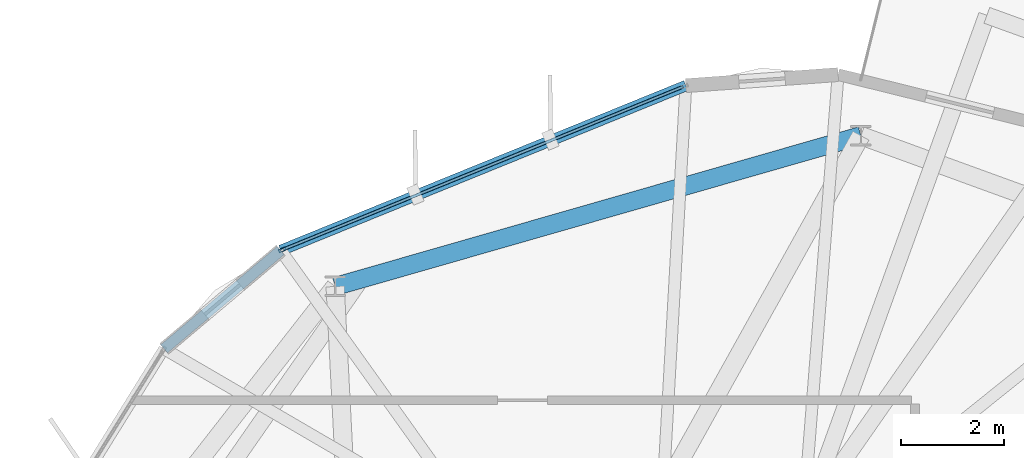
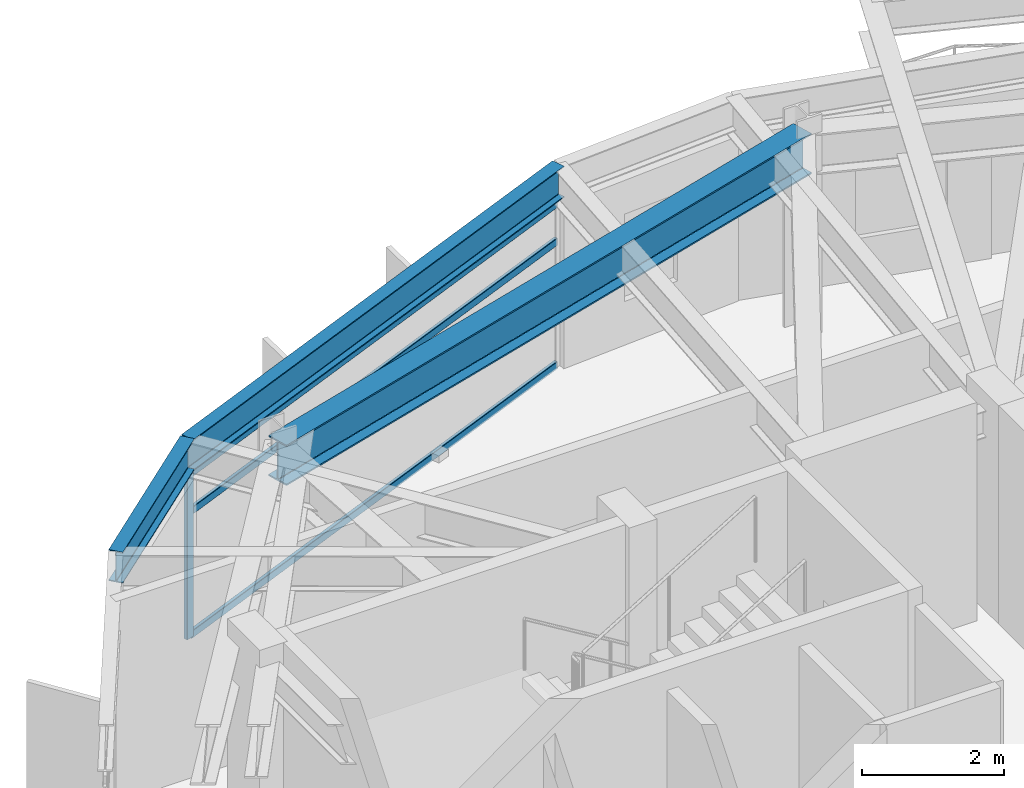
# One storey, part 17 of 26: 4 members, 3 beams, 1 element without a shape of its own.
"""IFC4 building model written with IfcOpenShell, lengths in metres."""

from ifc_helpers import new_model, si_unit, direction, frame, origin, origin_2d, place, context, subcontext, project, spatial, hollow_rectangle, i_section, extrude, material, layer, layer_set, material_profile, profile_set, type_object, element, aggregate, save


model = new_model("IFC4")

# Units and contexts
model_context = context("Model", 3, precision=1e-05, world=origin(), true_north=direction((0.0, 1.0)))
body_context = subcontext(model_context, "Body", "Model", "MODEL_VIEW")
ifc_project = project(units=[si_unit("LENGTHUNIT", "METRE"), si_unit("AREAUNIT", "SQUARE_METRE"), si_unit("VOLUMEUNIT", "CUBIC_METRE"), si_unit("PLANEANGLEUNIT", "RADIAN"), si_unit("MASSUNIT", "GRAM", prefix="KILO")], contexts=[model_context])

# Site, building, storey
site_placement = place(None, origin())
site = spatial("IfcSite", under=ifc_project, at=site_placement, CompositionType="ELEMENT")
building_placement = place(site_placement, origin())
building = spatial("IfcBuilding", under=site, at=building_placement, Name="Soratama Intermodal Tower", CompositionType="ELEMENT")
storey_placement = place(building_placement, frame((0.0, 0.0, 246.25)))
storey = spatial("IfcBuildingStorey", under=building, at=storey_placement, Name="L62", CompositionType="ELEMENT", Elevation=246.25)

# Beams
ifc_material_1 = material(Name="Structural steel ASTM A992 Grade 50", Category="steel")
ifc_material_profile_1 = material_profile(ifc_material_1, i_section(OverallWidth=0.35498046875, OverallDepth=0.695068359375, WebThickness=0.015380859375, FlangeThickness=0.02490234375, FilletRadius=0.01611328125, at=origin_2d()), Name="W27X146")
ifc_profile_set_1 = profile_set([ifc_material_profile_1], Name="Structural steel ASTM A992 Grade 50")
beam_type_1 = type_object("IfcBeamType", Name="BM-RING-W27X146", PredefinedType="BEAM", material=ifc_profile_set_1)
beam_1_placement = place(storey_placement, frame((45.60009765625, 42.18994140625, 3.1025390625), z_axis=(-0.961238292127, -0.275718961532, 0.0), x_axis=(0.275718961532, -0.961238292127, 0.0)))
element("IfcBeam", 1, at=beam_1_placement, inside=storey, type_object=beam_type_1, Name="BM-L62-RING-03", PredefinedType="BEAM", context=body_context, shape_type="SweptSolid", body=[
    extrude(i_section(OverallWidth=0.35498046875, OverallDepth=0.695068359375, WebThickness=0.015380859375, FlangeThickness=0.02490234375, FilletRadius=0.01611328125, at=origin_2d()), origin(), (0.0, 0.0, 1.0), 10.630126953125),
])
ifc_material_2 = material(Name="Structural steel ASTM A992 Grade 50", Category="steel")
ifc_material_profile_2 = material_profile(ifc_material_2, i_section(OverallWidth=0.2099609375, OverallDepth=0.537109375, WebThickness=0.010986328125, FlangeThickness=0.017333984375, FilletRadius=0.012939453125, at=origin_2d()), Name="W21X68")
ifc_profile_set_2 = profile_set([ifc_material_profile_2], Name="Structural steel ASTM A992 Grade 50")
beam_type_2 = type_object("IfcBeamType", Name="BM-SPN-W21X68", PredefinedType="SPANDREL", material=ifc_profile_set_2)
beam_2_placement = place(storey_placement, frame((42.197998046875, 43.1630859375, 3.181396484375), z_axis=(-0.926273649739, -0.37685159652, 0.0), x_axis=(0.37685159652, -0.926273649739, 0.0)))
element("IfcBeam", 2, at=beam_2_placement, inside=storey, type_object=beam_type_2, Name="BS-L62-F02", PredefinedType="SPANDREL", context=body_context, shape_type="SweptSolid", body=[
    extrude(i_section(OverallWidth=0.2099609375, OverallDepth=0.537109375, WebThickness=0.010986328125, FlangeThickness=0.017333984375, FilletRadius=0.012939453125, at=origin_2d()), origin(), (0.0, 0.0, 1.0), 8.499755859375),
])
beam_3_placement = place(storey_placement, frame((34.324951171875, 39.9599609375, 3.181396484375), z_axis=(-0.764430876647, -0.64470569629, 0.0), x_axis=(0.64470569629, -0.764430876647, 0.0)))
element("IfcBeam", 3, at=beam_3_placement, inside=storey, type_object=beam_type_2, Name="BS-L62-CRN02", PredefinedType="SPANDREL", context=body_context, shape_type="SweptSolid", body=[
    extrude(i_section(OverallWidth=0.2099609375, OverallDepth=0.537109375, WebThickness=0.010986328125, FlangeThickness=0.017333984375, FilletRadius=0.012939453125, at=origin_2d()), origin(), (0.0, 0.0, 1.0), 2.967041015625),
])

# Curtain wall, members
ifc_material_3 = material(Name="Double-glazed aluminium curtain wall", Category="aluminium")
ifc_layer = layer(ifc_material_3, 0.159912109375)
ifc_layer_set = layer_set([ifc_layer], Name="Double-glazed aluminium curtain wall")
curtain_wall_type = type_object("IfcCurtainWallType", Name="CW-SYS-5", PredefinedType="NOTDEFINED", material=ifc_layer_set)
curtain_wall_placement = place(storey_placement, origin())
curtain_wall = element("IfcCurtainWall", 4, at=curtain_wall_placement, inside=storey, type_object=curtain_wall_type, Name="L62 Faceted Curtain Wall F02", PredefinedType="NOTDEFINED")
ifc_material_4 = material(Name="Anodised aluminium AA 6063-T6", Category="aluminium")
ifc_material_profile_3 = material_profile(ifc_material_4, hollow_rectangle(XDim=0.06494140625, YDim=0.139892578125, WallThickness=0.0048828125, InnerFilletRadius=0.0048828125, OuterFilletRadius=0.010009765625, at=origin_2d()), Name="CWM140X65X5")
ifc_profile_set_3 = profile_set([ifc_material_profile_3], Name="Anodised aluminium AA 6063-T6")
member_type_1 = type_object("IfcMemberType", Name="MT-CWM-5", PredefinedType="MULLION", material=ifc_profile_set_3)
member_1_placement = place(storey_placement, frame((34.352783203125, 39.97119140625, 0.0), z_axis=(0.0, 0.0, 1.0), x_axis=(0.376881280442, -0.926261572372, 0.0)))
member_1 = element("IfcMember", 5, at=member_1_placement, type_object=member_type_1, Name="CW-5 mullion 2", PredefinedType="MULLION", context=body_context, shape_type="SweptSolid", body=[
    extrude(hollow_rectangle(XDim=0.06494140625, YDim=0.139892578125, WallThickness=0.0048828125, InnerFilletRadius=0.0048828125, OuterFilletRadius=0.010009765625, at=origin_2d()), origin(), (0.0, 0.0, 1.0), 2.8291015625),
])
ifc_material_5 = material(Name="Anodised aluminium AA 6063-T6", Category="aluminium")
ifc_material_profile_4 = material_profile(ifc_material_5, hollow_rectangle(XDim=0.06005859375, YDim=0.1298828125, WallThickness=0.0048828125, InnerFilletRadius=0.0048828125, OuterFilletRadius=0.010009765625, at=origin_2d()), Name="CWT130X60X5")
ifc_profile_set_4 = profile_set([ifc_material_profile_4], Name="Anodised aluminium AA 6063-T6")
member_type_2 = type_object("IfcMemberType", Name="TT-CWT-2", PredefinedType="USERDEFINED", material=ifc_profile_set_4)
member_2_placement = place(storey_placement, frame((42.142578125, 43.140625, 0.030029296875), z_axis=(-0.926262306379, -0.376879476467, 0.0), x_axis=(0.376879476467, -0.926262306379, 0.0)))
member_2 = element("IfcMember", 6, at=member_2_placement, type_object=member_type_2, Name="CW-5 transom 1.1", ObjectType="TRANSOM", PredefinedType="USERDEFINED", context=body_context, shape_type="SweptSolid", body=[
    extrude(hollow_rectangle(XDim=0.06005859375, YDim=0.1298828125, WallThickness=0.0048828125, InnerFilletRadius=0.0048828125, OuterFilletRadius=0.010009765625, at=origin_2d()), origin(), (0.0, 0.0, 1.0), 8.3798828125),
])
member_3_placement = place(storey_placement, frame((42.142578125, 43.140625, 2.14990234375), z_axis=(-0.926262306379, -0.376879476467, 0.0), x_axis=(0.376879476467, -0.926262306379, 0.0)))
member_3 = element("IfcMember", 7, at=member_3_placement, type_object=member_type_2, Name="CW-5 transom 1.2", ObjectType="TRANSOM", PredefinedType="USERDEFINED", context=body_context, shape_type="SweptSolid", body=[
    extrude(hollow_rectangle(XDim=0.06005859375, YDim=0.1298828125, WallThickness=0.0048828125, InnerFilletRadius=0.0048828125, OuterFilletRadius=0.010009765625, at=origin_2d()), origin(), (0.0, 0.0, 1.0), 8.3798828125),
])
member_4_placement = place(storey_placement, frame((42.142578125, 43.140625, 2.799072265625), z_axis=(-0.926262306379, -0.376879476467, 0.0), x_axis=(0.376879476467, -0.926262306379, 0.0)))
member_4 = element("IfcMember", 8, at=member_4_placement, type_object=member_type_2, Name="CW-5 transom 1.3", ObjectType="TRANSOM", PredefinedType="USERDEFINED", context=body_context, shape_type="SweptSolid", body=[
    extrude(hollow_rectangle(XDim=0.06005859375, YDim=0.1298828125, WallThickness=0.0048828125, InnerFilletRadius=0.0048828125, OuterFilletRadius=0.010009765625, at=origin_2d()), origin(), (0.0, 0.0, 1.0), 8.3798828125),
])
aggregate(curtain_wall, [member_1, member_2, member_3, member_4])

save(model, "model.ifc")
